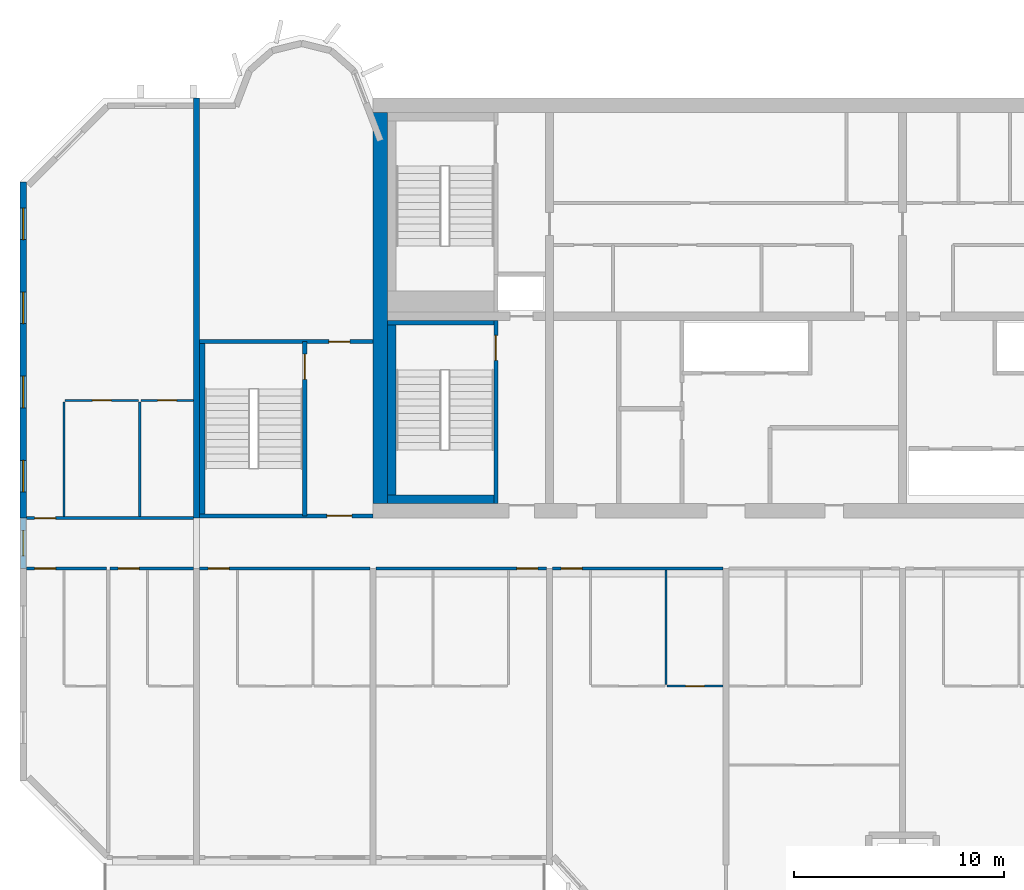
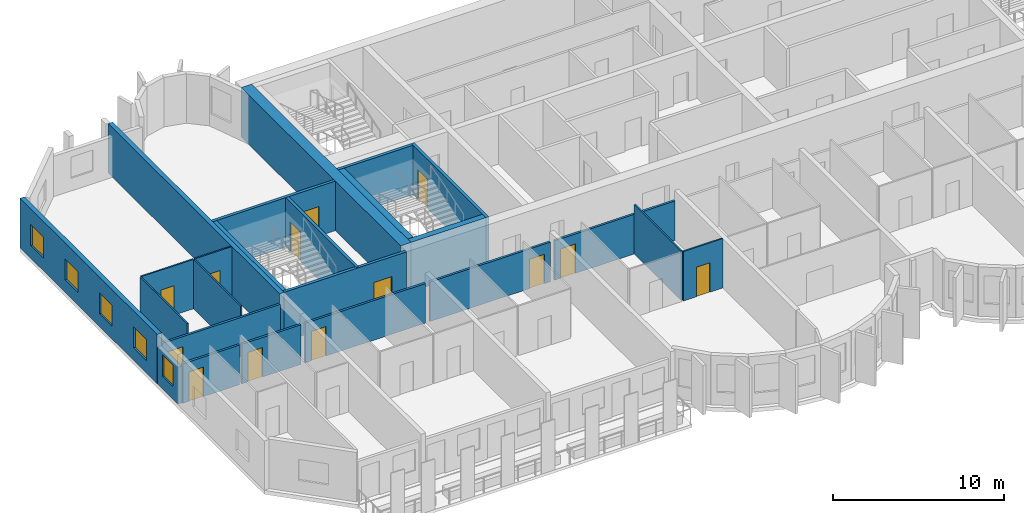
# One storey, part 3 of 13: 24 walls, 13 doors, 5 windows, 18 openings.
"""IFC4 building model written with IfcOpenShell, lengths in metres."""

from ifc_helpers import new_model, si_unit, direction, frame, frame_2d, origin, place, context, subcontext, project, spatial, rectangle, extrude, source, transform, mapped, material, layer, layer_set, type_object, element, fill, save


model = new_model("IFC4")

# Units and contexts
model_context = context("Model", 3, precision=1e-05, world=origin(), true_north=direction((0.0, 1.0)))
body_context = subcontext(model_context, "Body", "Model", "MODEL_VIEW")
ifc_project = project(units=[si_unit("LENGTHUNIT", "METRE"), si_unit("AREAUNIT", "SQUARE_METRE"), si_unit("VOLUMEUNIT", "CUBIC_METRE"), si_unit("PLANEANGLEUNIT", "RADIAN"), si_unit("MASSUNIT", "GRAM", prefix="KILO")], contexts=[model_context])

# Site, building, storey
site_placement = place(None, origin())
site = spatial("IfcSite", under=ifc_project, at=site_placement, CompositionType="ELEMENT")
building_placement = place(site_placement, origin())
building = spatial("IfcBuilding", under=site, at=building_placement, Name="Vanashikhar Sky Hotel", CompositionType="ELEMENT")
storey_placement = place(building_placement, frame((0.0, 0.0, 189.60009765625)))
storey = spatial("IfcBuildingStorey", under=building, at=storey_placement, Name="L46", CompositionType="ELEMENT", Elevation=189.60009765625)

# Wall
ifc_material_1 = material(Name="Concrete M60", Category="concrete")
ifc_layer_1 = layer(ifc_material_1, 0.699951171875)
ifc_layer_set_1 = layer_set([ifc_layer_1], Name="RC core shell wall 700 Concrete M60")
wall_type_1 = type_object("IfcWallType", Name="RC core shell wall 700 Concrete M60", PredefinedType="SHEAR", material=ifc_layer_set_1)
shared_shape_1 = source(origin(), body_context, "Body", "SweptSolid", [
    extrude(rectangle(XDim=18.60009765625, YDim=0.699951171875, at=frame_2d((9.300048828125, 0.0))), origin(), (0.0, 0.0, 1.0), 3.52001953125),
])
wall_1_placement = place(storey_placement, frame((25.550048828125, 22.699951171875, 0.0), z_axis=(0.0, 0.0, 1.0), x_axis=(0.0, 1.0, 0.0)))
element("IfcWall", 1, at=wall_1_placement, inside=storey, type_object=wall_type_1, Name="KW-L46-KW", PredefinedType="SHEAR", context=body_context, shape_type="MappedRepresentation", body=[
    mapped(shared_shape_1, transform((0.0, 0.0, 0.0), scale=1.0)),
])

# Wall, openings, windows
ifc_layer_2 = layer(ifc_material_1, 0.300048828125)
ifc_layer_set_2 = layer_set([ifc_layer_2], Name="RC shear wall 300 Concrete M60")
wall_type_2 = type_object("IfcWallType", Name="RC shear wall 300 Concrete M60", PredefinedType="SHEAR", material=ifc_layer_set_2)
shared_shape_2 = source(origin(), body_context, "Body", "SweptSolid", [
    extrude(rectangle(XDim=16.0, YDim=0.300048828125, at=frame_2d((8.0, 0.0))), origin(), (0.0, 0.0, 1.0), 3.52001953125),
])
wall_2_placement = place(storey_placement, frame((8.550048828125, 22.0, 0.0), z_axis=(0.0, 0.0, 1.0), x_axis=(0.0, 1.0, 0.0)))
wall_2 = element("IfcWall", 2, at=wall_2_placement, inside=storey, type_object=wall_type_2, Name="CW-L46-XW02-2", PredefinedType="SHEAR", context=body_context, shape_type="MappedRepresentation", body=[
    mapped(shared_shape_2, transform((0.0, 0.0, 0.0), scale=1.0)),
])
shared_shape_3 = source(origin(), body_context, "Body", "SweptSolid", [
    extrude(rectangle(XDim=1.5, YDim=1.5, at=frame_2d((0.75, 0.75))), frame((0.0, 0.16015625, 0.0), z_axis=(0.0, -1.0, 0.0), x_axis=(1.0, 0.0, 0.0)), (0.0, 0.0, 1.0), 0.320068359375),
])
opening_1_placement = place(wall_2_placement, frame((1.25, 0.0, 0.89990234375)))
opening_1 = element("IfcOpeningElement", 3, at=opening_1_placement, cuts=wall_2, Name="Opening WN-1", PredefinedType="OPENING", context=body_context, shape_type="MappedRepresentation", body=[
    mapped(shared_shape_3, transform((0.0, 0.0, 0.0), scale=1.0)),
])
opening_2_placement = place(wall_2_placement, frame((5.25, 0.0, 0.89990234375)))
opening_2 = element("IfcOpeningElement", 4, at=opening_2_placement, cuts=wall_2, Name="Opening WN-1", PredefinedType="OPENING", context=body_context, shape_type="MappedRepresentation", body=[
    mapped(shared_shape_3, transform((0.0, 0.0, 0.0), scale=1.0)),
])
opening_3_placement = place(wall_2_placement, frame((9.25, 0.0, 0.89990234375)))
opening_3 = element("IfcOpeningElement", 5, at=opening_3_placement, cuts=wall_2, Name="Opening WN-1", PredefinedType="OPENING", context=body_context, shape_type="MappedRepresentation", body=[
    mapped(shared_shape_3, transform((0.0, 0.0, 0.0), scale=1.0)),
])
opening_4_placement = place(wall_2_placement, frame((13.25, 0.0, 0.89990234375)))
opening_4 = element("IfcOpeningElement", 6, at=opening_4_placement, cuts=wall_2, Name="Opening WN-1", PredefinedType="OPENING", context=body_context, shape_type="MappedRepresentation", body=[
    mapped(shared_shape_3, transform((0.0, 0.0, 0.0), scale=1.0)),
])
ifc_material_2 = material(Name="Glass", Category="glass")
window_type_1 = type_object("IfcWindowType", Name="Window 1500 x 1500", PartitioningType="SINGLE_PANEL", PredefinedType="WINDOW", material=ifc_material_2)
shared_shape_4 = source(origin(), body_context, "Body", "SweptSolid", [
    extrude(rectangle(XDim=1.5, YDim=1.5, at=frame_2d((0.75, 0.75))), frame((0.0, 0.030029296875, 0.0), z_axis=(0.0, -1.0, 0.0), x_axis=(1.0, 0.0, 0.0)), (0.0, 0.0, 1.0), 0.06005859375),
])
window_1_placement = place(opening_1_placement, origin())
window_1 = element("IfcWindow", 7, at=window_1_placement, inside=storey, type_object=window_type_1, Name="Window WN-1", OverallHeight=1.5, OverallWidth=1.5, PartitioningType="SINGLE_PANEL", PredefinedType="WINDOW", context=body_context, shape_type="MappedRepresentation", body=[
    mapped(shared_shape_4, transform((0.0, 0.0, 0.0), scale=1.0)),
])
fill(opening_1, window_1)
window_2_placement = place(opening_2_placement, origin())
window_2 = element("IfcWindow", 8, at=window_2_placement, inside=storey, type_object=window_type_1, Name="Window WN-1", OverallHeight=1.5, OverallWidth=1.5, PartitioningType="SINGLE_PANEL", PredefinedType="WINDOW", context=body_context, shape_type="MappedRepresentation", body=[
    mapped(shared_shape_4, transform((0.0, 0.0, 0.0), scale=1.0)),
])
fill(opening_2, window_2)
window_3_placement = place(opening_3_placement, origin())
window_3 = element("IfcWindow", 9, at=window_3_placement, inside=storey, type_object=window_type_1, Name="Window WN-1", OverallHeight=1.5, OverallWidth=1.5, PartitioningType="SINGLE_PANEL", PredefinedType="WINDOW", context=body_context, shape_type="MappedRepresentation", body=[
    mapped(shared_shape_4, transform((0.0, 0.0, 0.0), scale=1.0)),
])
fill(opening_3, window_3)
window_4_placement = place(opening_4_placement, origin())
window_4 = element("IfcWindow", 10, at=window_4_placement, inside=storey, type_object=window_type_1, Name="Window WN-1", OverallHeight=1.5, OverallWidth=1.5, PartitioningType="SINGLE_PANEL", PredefinedType="WINDOW", context=body_context, shape_type="MappedRepresentation", body=[
    mapped(shared_shape_4, transform((0.0, 0.0, 0.0), scale=1.0)),
])
fill(opening_4, window_4)

# Wall
shared_shape_5 = source(origin(), body_context, "Body", "SweptSolid", [
    extrude(rectangle(XDim=20.0, YDim=0.300048828125, at=frame_2d((10.0, 0.0))), origin(), (0.0, 0.0, 1.0), 3.52001953125),
])
wall_3_placement = place(storey_placement, frame((16.800048828125, 22.0, 0.0), z_axis=(0.0, 0.0, 1.0), x_axis=(0.0, 1.0, 0.0)))
element("IfcWall", 11, at=wall_3_placement, inside=storey, type_object=wall_type_2, Name="CW-L46-XW03-2", PredefinedType="SHEAR", context=body_context, shape_type="MappedRepresentation", body=[
    mapped(shared_shape_5, transform((0.0, 0.0, 0.0), scale=1.0)),
])

# Wall, opening, window
ifc_material_3 = material(Name="Concrete M50", Category="concrete")
ifc_layer_3 = layer(ifc_material_3, 0.25)
ifc_layer_set_3 = layer_set([ifc_layer_3], Name="Rear and end board-marked wall 250")
wall_type_3 = type_object("IfcWallType", Name="Rear and end board-marked wall 250", PredefinedType="SOLIDWALL", material=ifc_layer_set_3)
shared_shape_6 = source(origin(), body_context, "Body", "SweptSolid", [
    extrude(rectangle(XDim=2.39990234375, YDim=0.25, at=frame_2d((1.199951171875, 0.0))), origin(), (0.0, 0.0, 1.0), 2.619873046875),
])
wall_4_placement = place(storey_placement, frame((8.550048828125, 19.60009765625, 0.0), z_axis=(0.0, 0.0, 1.0), x_axis=(0.0, 1.0, 0.0)))
wall_4 = element("IfcWall", 12, at=wall_4_placement, inside=storey, type_object=wall_type_3, Name="End corridor infill wall", PredefinedType="SOLIDWALL", context=body_context, shape_type="MappedRepresentation", body=[
    mapped(shared_shape_6, transform((0.0, 0.0, 0.0), scale=1.0)),
])
shared_shape_7 = source(origin(), body_context, "Body", "SweptSolid", [
    extrude(rectangle(XDim=1.199951171875, YDim=1.5, at=frame_2d((0.60009765625, 0.75))), frame((0.0, 0.135009765625, 0.0), z_axis=(0.0, -1.0, 0.0), x_axis=(1.0, 0.0, 0.0)), (0.0, 0.0, 1.0), 0.27001953125),
])
opening_5_placement = place(wall_4_placement, frame((0.60009765625, 0.0, 0.89990234375)))
opening_5 = element("IfcOpeningElement", 13, at=opening_5_placement, cuts=wall_4, Name="Opening WN-3", PredefinedType="OPENING", context=body_context, shape_type="MappedRepresentation", body=[
    mapped(shared_shape_7, transform((0.0, 0.0, 0.0), scale=1.0)),
])
window_type_2 = type_object("IfcWindowType", Name="Corridor end window 1200 x 1500", PartitioningType="SINGLE_PANEL", PredefinedType="WINDOW", material=ifc_material_2)
shared_shape_8 = source(origin(), body_context, "Body", "SweptSolid", [
    extrude(rectangle(XDim=1.199951171875, YDim=1.5, at=frame_2d((0.60009765625, 0.75))), frame((0.0, 0.030029296875, 0.0), z_axis=(0.0, -1.0, 0.0), x_axis=(1.0, 0.0, 0.0)), (0.0, 0.0, 1.0), 0.06005859375),
])
window_5_placement = place(opening_5_placement, origin())
window_5 = element("IfcWindow", 14, at=window_5_placement, inside=storey, type_object=window_type_2, Name="Window WN-3", OverallHeight=1.5, OverallWidth=1.199951171875, PartitioningType="SINGLE_PANEL", PredefinedType="WINDOW", context=body_context, shape_type="MappedRepresentation", body=[
    mapped(shared_shape_8, transform((0.0, 0.0, 0.0), scale=1.0)),
])
fill(opening_5, window_5)

# Wall, opening, door
ifc_layer_4 = layer(ifc_material_3, 0.199951171875)
ifc_layer_set_4 = layer_set([ifc_layer_4], Name="Stair wall 200")
wall_type_4 = type_object("IfcWallType", Name="Stair wall 200", PredefinedType="SOLIDWALL", material=ifc_layer_set_4)
shared_shape_9 = source(origin(), body_context, "Body", "SweptSolid", [
    extrude(rectangle(XDim=8.2998046875, YDim=0.199951171875, at=frame_2d((4.14990234375, 0.0))), origin(), (0.0, 0.0, 1.0), 3.52001953125),
])
wall_5_placement = place(storey_placement, frame((21.949951171875, 22.10009765625, 0.0), z_axis=(0.0, 0.0, 1.0), x_axis=(0.0, 1.0, 0.0)))
wall_5 = element("IfcWall", 15, at=wall_5_placement, inside=storey, type_object=wall_type_4, Name="Stair wall 200", PredefinedType="SOLIDWALL", context=body_context, shape_type="MappedRepresentation", body=[
    mapped(shared_shape_9, transform((0.0, 0.0, 0.0), scale=1.0)),
])
shared_shape_10 = source(origin(), body_context, "Body", "SweptSolid", [
    extrude(rectangle(XDim=1.199951171875, YDim=2.10009765625, at=frame_2d((0.60009765625, 1.050048828125))), frame((0.0, 0.10986328125, 0.0), z_axis=(0.0, -1.0, 0.0), x_axis=(1.0, 0.0, 0.0)), (0.0, 0.0, 1.0), 0.219970703125),
])
opening_6_placement = place(wall_5_placement, frame((6.5, 0.0, 0.0)))
opening_6 = element("IfcOpeningElement", 16, at=opening_6_placement, cuts=wall_5, Name="Opening DC-1", PredefinedType="OPENING", context=body_context, shape_type="MappedRepresentation", body=[
    mapped(shared_shape_10, transform((0.0, 0.0, 0.0), scale=1.0)),
])
ifc_material_4 = material(Name="Steel", Category="steel")
door_type_1 = type_object("IfcDoorType", Name="Stair door 1200 FD120", OperationType="NOTDEFINED", PredefinedType="DOOR", material=ifc_material_4)
shared_shape_11 = source(origin(), body_context, "Body", "SweptSolid", [
    extrude(rectangle(XDim=1.199951171875, YDim=2.10009765625, at=frame_2d((0.60009765625, 1.050048828125))), frame((0.0, 0.02490234375, 0.0), z_axis=(0.0, -1.0, 0.0), x_axis=(1.0, 0.0, 0.0)), (0.0, 0.0, 1.0), 0.050048828125),
])
door_1_placement = place(opening_6_placement, origin())
door_1 = element("IfcDoor", 17, at=door_1_placement, inside=storey, type_object=door_type_1, Name="Stair door 1200 FD120", OperationType="SINGLE_SWING_LEFT", OverallHeight=2.10009765625, OverallWidth=1.199951171875, PredefinedType="DOOR", context=body_context, shape_type="MappedRepresentation", body=[
    mapped(shared_shape_11, transform((0.0, 0.0, 0.0), scale=1.0)),
])
fill(opening_6, door_1)

shared_shape_12 = source(origin(), body_context, "Body", "SweptSolid", [
    extrude(rectangle(XDim=8.699951171875, YDim=0.199951171875, at=frame_2d((4.35009765625, 0.0))), origin(), (0.0, 0.0, 1.0), 3.52001953125),
])
wall_6_placement = place(storey_placement, frame((31.050048828125, 22.699951171875, 0.0), z_axis=(0.0, 0.0, 1.0), x_axis=(0.0, 1.0, 0.0)))
wall_6 = element("IfcWall", 18, at=wall_6_placement, inside=storey, type_object=wall_type_4, Name="Stair wall 200", PredefinedType="SOLIDWALL", context=body_context, shape_type="MappedRepresentation", body=[
    mapped(shared_shape_12, transform((0.0, 0.0, 0.0), scale=1.0)),
])
opening_7_placement = place(wall_6_placement, frame((6.800048828125, 0.0, 0.0)))
opening_7 = element("IfcOpeningElement", 19, at=opening_7_placement, cuts=wall_6, Name="Opening DC-1", PredefinedType="OPENING", context=body_context, shape_type="MappedRepresentation", body=[
    mapped(shared_shape_10, transform((0.0, 0.0, 0.0), scale=1.0)),
])
door_2_placement = place(opening_7_placement, origin())
door_2 = element("IfcDoor", 20, at=door_2_placement, inside=storey, type_object=door_type_1, Name="Stair door 1200 FD120", OperationType="SINGLE_SWING_LEFT", OverallHeight=2.10009765625, OverallWidth=1.199951171875, PredefinedType="DOOR", context=body_context, shape_type="MappedRepresentation", body=[
    mapped(shared_shape_11, transform((0.0, 0.0, 0.0), scale=1.0)),
])
fill(opening_7, door_2)

shared_shape_13 = source(origin(), body_context, "Body", "SweptSolid", [
    extrude(rectangle(XDim=8.25, YDim=0.199951171875, at=frame_2d((4.125, 0.0))), origin(), (0.0, 0.0, 1.0), 3.52001953125),
])
wall_7_placement = place(storey_placement, frame((16.949951171875, 22.10009765625, 0.0), z_axis=(0.0, 0.0, 1.0), x_axis=(1.0, 0.0, 0.0)))
wall_7 = element("IfcWall", 21, at=wall_7_placement, inside=storey, type_object=wall_type_4, Name="Stair wall 200", PredefinedType="SOLIDWALL", context=body_context, shape_type="MappedRepresentation", body=[
    mapped(shared_shape_13, transform((0.0, 0.0, 0.0), scale=1.0)),
])
opening_8_placement = place(wall_7_placement, frame((6.050048828125, 0.0, 0.0)))
opening_8 = element("IfcOpeningElement", 22, at=opening_8_placement, cuts=wall_7, Name="Opening DC-2", PredefinedType="OPENING", context=body_context, shape_type="MappedRepresentation", body=[
    mapped(shared_shape_10, transform((0.0, 0.0, 0.0), scale=1.0)),
])
door_type_2 = type_object("IfcDoorType", Name="Firefighting lobby door 1200 FD120", OperationType="NOTDEFINED", PredefinedType="DOOR", material=ifc_material_4)
door_3_placement = place(opening_8_placement, origin())
door_3 = element("IfcDoor", 23, at=door_3_placement, inside=storey, type_object=door_type_2, Name="Firefighting lobby door 1200 FD120", OperationType="SINGLE_SWING_LEFT", OverallHeight=2.10009765625, OverallWidth=1.199951171875, PredefinedType="DOOR", context=body_context, shape_type="MappedRepresentation", body=[
    mapped(shared_shape_11, transform((0.0, 0.0, 0.0), scale=1.0)),
])
fill(opening_8, door_3)

wall_8_placement = place(storey_placement, frame((16.949951171875, 30.39990234375, 0.0), z_axis=(0.0, 0.0, 1.0), x_axis=(1.0, 0.0, 0.0)))
wall_8 = element("IfcWall", 24, at=wall_8_placement, inside=storey, type_object=wall_type_4, Name="Stair wall 200", PredefinedType="SOLIDWALL", context=body_context, shape_type="MappedRepresentation", body=[
    mapped(shared_shape_13, transform((0.0, 0.0, 0.0), scale=1.0)),
])
shared_shape_14 = source(origin(), body_context, "Body", "SweptSolid", [
    extrude(rectangle(XDim=1.0, YDim=2.10009765625, at=frame_2d((0.5, 1.050048828125))), frame((0.0, 0.10986328125, 0.0), z_axis=(0.0, -1.0, 0.0), x_axis=(1.0, 0.0, 0.0)), (0.0, 0.0, 1.0), 0.219970703125),
])
opening_9_placement = place(wall_8_placement, frame((6.14990234375, 0.0, 0.0)))
opening_9 = element("IfcOpeningElement", 25, at=opening_9_placement, cuts=wall_8, Name="Opening DC-6", PredefinedType="OPENING", context=body_context, shape_type="MappedRepresentation", body=[
    mapped(shared_shape_14, transform((0.0, 0.0, 0.0), scale=1.0)),
])
door_type_3 = type_object("IfcDoorType", Name="Pocket door 1000 FD60", OperationType="NOTDEFINED", PredefinedType="DOOR", material=ifc_material_4)
shared_shape_15 = source(origin(), body_context, "Body", "SweptSolid", [
    extrude(rectangle(XDim=1.0, YDim=2.10009765625, at=frame_2d((0.5, 1.050048828125))), frame((0.0, 0.02490234375, 0.0), z_axis=(0.0, -1.0, 0.0), x_axis=(1.0, 0.0, 0.0)), (0.0, 0.0, 1.0), 0.050048828125),
])
door_4_placement = place(opening_9_placement, origin())
door_4 = element("IfcDoor", 26, at=door_4_placement, inside=storey, type_object=door_type_3, Name="Pocket door 1000 FD60", OperationType="SINGLE_SWING_LEFT", OverallHeight=2.10009765625, OverallWidth=1.0, PredefinedType="DOOR", context=body_context, shape_type="MappedRepresentation", body=[
    mapped(shared_shape_15, transform((0.0, 0.0, 0.0), scale=1.0)),
])
fill(opening_9, door_4)

# Walls
ifc_layer_5 = layer(ifc_material_3, 0.39990234375)
ifc_layer_set_5 = layer_set([ifc_layer_5], Name="Stair infill wall 400")
wall_type_5 = type_object("IfcWallType", Name="Stair infill wall 400", PredefinedType="SOLIDWALL", material=ifc_layer_set_5)
shared_shape_16 = source(origin(), body_context, "Body", "SweptSolid", [
    extrude(rectangle(XDim=5.050048828125, YDim=0.39990234375, at=frame_2d((2.52490234375, 0.0))), origin(), (0.0, 0.0, 1.0), 3.52001953125),
])
wall_9_placement = place(storey_placement, frame((25.89990234375, 22.89990234375, 0.0), z_axis=(0.0, 0.0, 1.0), x_axis=(1.0, 0.0, 0.0)))
element("IfcWall", 27, at=wall_9_placement, inside=storey, type_object=wall_type_5, Name="Stair infill wall 400", PredefinedType="SOLIDWALL", context=body_context, shape_type="MappedRepresentation", body=[
    mapped(shared_shape_16, transform((0.0, 0.0, 0.0), scale=1.0)),
])
ifc_layer_6 = layer(ifc_material_3, 0.199951171875)
ifc_layer_set_6 = layer_set([ifc_layer_6], Name="Stair infill wall 200")
wall_type_6 = type_object("IfcWallType", Name="Stair infill wall 200", PredefinedType="SOLIDWALL", material=ifc_layer_set_6)
shared_shape_17 = source(origin(), body_context, "Body", "SweptSolid", [
    extrude(rectangle(XDim=5.050048828125, YDim=0.199951171875, at=frame_2d((2.52490234375, 0.0))), origin(), (0.0, 0.0, 1.0), 3.52001953125),
])
wall_10_placement = place(storey_placement, frame((25.89990234375, 31.300048828125, 0.0), z_axis=(0.0, 0.0, 1.0), x_axis=(1.0, 0.0, 0.0)))
element("IfcWall", 28, at=wall_10_placement, inside=storey, type_object=wall_type_6, Name="Stair infill wall 200", PredefinedType="SOLIDWALL", context=body_context, shape_type="MappedRepresentation", body=[
    mapped(shared_shape_17, transform((0.0, 0.0, 0.0), scale=1.0)),
])
shared_shape_18 = source(origin(), body_context, "Body", "SweptSolid", [
    extrude(rectangle(XDim=8.099853515625, YDim=0.39990234375, at=frame_2d((4.0498046875, 0.0))), origin(), (0.0, 0.0, 1.0), 3.52001953125),
])
wall_11_placement = place(storey_placement, frame((26.10009765625, 23.10009765625, 0.0), z_axis=(0.0, 0.0, 1.0), x_axis=(0.0, 1.0, 0.0)))
element("IfcWall", 29, at=wall_11_placement, inside=storey, type_object=wall_type_5, Name="Stair infill wall 400", PredefinedType="SOLIDWALL", context=body_context, shape_type="MappedRepresentation", body=[
    mapped(shared_shape_18, transform((0.0, 0.0, 0.0), scale=1.0)),
])
ifc_layer_7 = layer(ifc_material_3, 0.25)
ifc_layer_set_7 = layer_set([ifc_layer_7], Name="Stair infill wall 250")
wall_type_7 = type_object("IfcWallType", Name="Stair infill wall 250", PredefinedType="SOLIDWALL", material=ifc_layer_set_7)
shared_shape_19 = source(origin(), body_context, "Body", "SweptSolid", [
    extrude(rectangle(XDim=8.10009765625, YDim=0.25, at=frame_2d((4.050048828125, 0.0))), origin(), (0.0, 0.0, 1.0), 3.52001953125),
])
wall_12_placement = place(storey_placement, frame((17.074951171875, 22.199951171875, 0.0), z_axis=(0.0, 0.0, 1.0), x_axis=(0.0, 1.0, 0.0)))
element("IfcWall", 30, at=wall_12_placement, inside=storey, type_object=wall_type_7, Name="Stair infill wall 250", PredefinedType="SOLIDWALL", context=body_context, shape_type="MappedRepresentation", body=[
    mapped(shared_shape_19, transform((0.0, 0.0, 0.0), scale=1.0)),
])

# Wall, opening, door
ifc_material_5 = material(Name="Gypsum plasterboard partition")
ifc_layer_8 = layer(ifc_material_5, 0.10009765625)
ifc_layer_set_8 = layer_set([ifc_layer_8], Name="Wet room partition 100")
wall_type_8 = type_object("IfcWallType", Name="Wet room partition 100", PredefinedType="PARTITIONING", material=ifc_layer_set_8)
shared_shape_20 = source(origin(), body_context, "Body", "SweptSolid", [
    extrude(rectangle(XDim=3.5, YDim=0.10009765625, at=frame_2d((1.75, 0.0))), origin(), (0.0, 0.0, 1.0), 3.52001953125),
])
wall_13_placement = place(storey_placement, frame((10.550048828125, 27.60009765625, 0.0), z_axis=(0.0, 0.0, 1.0), x_axis=(1.0, 0.0, 0.0)))
wall_13 = element("IfcWall", 31, at=wall_13_placement, inside=storey, type_object=wall_type_8, Name="W-L46-PW062", PredefinedType="PARTITIONING", context=body_context, shape_type="MappedRepresentation", body=[
    mapped(shared_shape_20, transform((0.0, 0.0, 0.0), scale=1.0)),
])
shared_shape_21 = source(origin(), body_context, "Body", "SweptSolid", [
    extrude(rectangle(XDim=0.89990234375, YDim=2.10009765625, at=frame_2d((0.449951171875, 1.050048828125))), frame((0.0, 0.06005859375, 0.0), z_axis=(0.0, -1.0, 0.0), x_axis=(1.0, 0.0, 0.0)), (0.0, 0.0, 1.0), 0.1201171875),
])
opening_10_placement = place(wall_13_placement, frame((1.300048828125, 0.0, 0.0)))
opening_10 = element("IfcOpeningElement", 32, at=opening_10_placement, cuts=wall_13, Name="Opening D-02", PredefinedType="OPENING", context=body_context, shape_type="MappedRepresentation", body=[
    mapped(shared_shape_21, transform((0.0, 0.0, 0.0), scale=1.0)),
])
ifc_material_6 = material(Name="Timber door", Category="wood")
door_type_4 = type_object("IfcDoorType", Name="Internal door 900", OperationType="NOTDEFINED", PredefinedType="DOOR", material=ifc_material_6)
shared_shape_22 = source(origin(), body_context, "Body", "SweptSolid", [
    extrude(rectangle(XDim=0.89990234375, YDim=2.10009765625, at=frame_2d((0.449951171875, 1.050048828125))), frame((0.0, 0.02490234375, 0.0), z_axis=(0.0, -1.0, 0.0), x_axis=(1.0, 0.0, 0.0)), (0.0, 0.0, 1.0), 0.050048828125),
])
door_5_placement = place(opening_10_placement, origin())
door_5 = element("IfcDoor", 33, at=door_5_placement, inside=storey, type_object=door_type_4, Name="D-L46-035", OperationType="SINGLE_SWING_LEFT", OverallHeight=2.10009765625, OverallWidth=0.89990234375, PredefinedType="DOOR", context=body_context, shape_type="MappedRepresentation", body=[
    mapped(shared_shape_22, transform((0.0, 0.0, 0.0), scale=1.0)),
])
fill(opening_10, door_5)

shared_shape_23 = source(origin(), body_context, "Body", "SweptSolid", [
    extrude(rectangle(XDim=2.5, YDim=0.10009765625, at=frame_2d((1.25, 0.0))), origin(), (0.0, 0.0, 1.0), 3.52001953125),
])
wall_14_placement = place(storey_placement, frame((14.14990234375, 27.60009765625, 0.0), z_axis=(0.0, 0.0, 1.0), x_axis=(1.0, 0.0, 0.0)))
wall_14 = element("IfcWall", 34, at=wall_14_placement, inside=storey, type_object=wall_type_8, Name="W-L46-PW063", PredefinedType="PARTITIONING", context=body_context, shape_type="MappedRepresentation", body=[
    mapped(shared_shape_23, transform((0.0, 0.0, 0.0), scale=1.0)),
])
opening_11_placement = place(wall_14_placement, frame((0.800048828125, 0.0, 0.0)))
opening_11 = element("IfcOpeningElement", 35, at=opening_11_placement, cuts=wall_14, Name="Opening D-02", PredefinedType="OPENING", context=body_context, shape_type="MappedRepresentation", body=[
    mapped(shared_shape_21, transform((0.0, 0.0, 0.0), scale=1.0)),
])
door_6_placement = place(opening_11_placement, origin())
door_6 = element("IfcDoor", 36, at=door_6_placement, inside=storey, type_object=door_type_4, Name="D-L46-036", OperationType="SINGLE_SWING_LEFT", OverallHeight=2.10009765625, OverallWidth=0.89990234375, PredefinedType="DOOR", context=body_context, shape_type="MappedRepresentation", body=[
    mapped(shared_shape_22, transform((0.0, 0.0, 0.0), scale=1.0)),
])
fill(opening_11, door_6)

# Walls
shared_shape_24 = source(origin(), body_context, "Body", "SweptSolid", [
    extrude(rectangle(XDim=5.449951171875, YDim=0.10009765625, at=frame_2d((2.72509765625, 0.0))), origin(), (0.0, 0.0, 1.0), 3.52001953125),
])
for number, where, z_axis, x_axis, name in (
    (37, (39.14990234375, 14.074951171875, 0.0), (0.0, 0.0, 1.0), (0.0, 1.0, 0.0), "W-L46-PW019"),
    (38, (10.5, 22.074951171875, 0.0), (0.0, 0.0, 1.0), (0.0, 1.0, 0.0), "W-L46-PW060"),
    (39, (14.10009765625, 22.074951171875, 0.0), (0.0, 0.0, 1.0), (0.0, 1.0, 0.0), "W-L46-PW061"),
):
    element("IfcWall", number, at=place(storey_placement, frame(where, z_axis=z_axis, x_axis=x_axis)), inside=storey, type_object=wall_type_8, Name=name, PredefinedType="PARTITIONING", context=body_context, shape_type="MappedRepresentation", body=[
        mapped(shared_shape_24, transform((0.0, 0.0, 0.0), scale=1.0)),
    ])

# Wall, opening, door
ifc_layer_9 = layer(ifc_material_5, 0.14990234375)
ifc_layer_set_9 = layer_set([ifc_layer_9], Name="Corridor and demising partition 150")
wall_type_9 = type_object("IfcWallType", Name="Corridor and demising partition 150", PredefinedType="PARTITIONING", material=ifc_layer_set_9)
shared_shape_25 = source(origin(), body_context, "Body", "SweptSolid", [
    extrude(rectangle(XDim=7.949951171875, YDim=0.14990234375, at=frame_2d((3.97509765625, 0.0))), origin(), (0.0, 0.0, 1.0), 2.81982421875),
])
wall_15_placement = place(storey_placement, frame((8.699951171875, 22.0, 0.0), z_axis=(0.0, 0.0, 1.0), x_axis=(1.0, 0.0, 0.0)))
wall_15 = element("IfcWall", 40, at=wall_15_placement, inside=storey, type_object=wall_type_9, Name="W-L46-PW064", PredefinedType="PARTITIONING", context=body_context, shape_type="MappedRepresentation", body=[
    mapped(shared_shape_25, transform((0.0, 0.0, 0.0), scale=1.0)),
])
shared_shape_26 = source(origin(), body_context, "Body", "SweptSolid", [
    extrude(rectangle(XDim=1.0, YDim=2.10009765625, at=frame_2d((0.5, 1.050048828125))), frame((0.0, 0.0849609375, 0.0), z_axis=(0.0, -1.0, 0.0), x_axis=(1.0, 0.0, 0.0)), (0.0, 0.0, 1.0), 0.169921875),
])
opening_12_placement = place(wall_15_placement, frame((0.39990234375, 0.0, 0.0)))
opening_12 = element("IfcOpeningElement", 41, at=opening_12_placement, cuts=wall_15, Name="Opening D-01", PredefinedType="OPENING", context=body_context, shape_type="MappedRepresentation", body=[
    mapped(shared_shape_26, transform((0.0, 0.0, 0.0), scale=1.0)),
])
ifc_material_7 = material(Name="Timber fire door", Category="wood")
door_type_5 = type_object("IfcDoorType", Name="Guest entry door 1000 FD30S", OperationType="NOTDEFINED", PredefinedType="DOOR", material=ifc_material_7)
door_7_placement = place(opening_12_placement, origin())
door_7 = element("IfcDoor", 42, at=door_7_placement, inside=storey, type_object=door_type_5, Name="D-L46-037", OperationType="SINGLE_SWING_LEFT", OverallHeight=2.10009765625, OverallWidth=1.0, PredefinedType="DOOR", context=body_context, shape_type="MappedRepresentation", body=[
    mapped(shared_shape_15, transform((0.0, 0.0, 0.0), scale=1.0)),
])
fill(opening_12, door_7)

shared_shape_27 = source(origin(), body_context, "Body", "SweptSolid", [
    extrude(rectangle(XDim=8.10009765625, YDim=0.14990234375, at=frame_2d((4.050048828125, 0.0))), origin(), (0.0, 0.0, 1.0), 2.81982421875),
])
wall_16_placement = place(storey_placement, frame((16.949951171875, 19.60009765625, 0.0), z_axis=(0.0, 0.0, 1.0), x_axis=(1.0, 0.0, 0.0)))
wall_16 = element("IfcWall", 43, at=wall_16_placement, inside=storey, type_object=wall_type_9, Name="W-L46-PW012", PredefinedType="PARTITIONING", context=body_context, shape_type="MappedRepresentation", body=[
    mapped(shared_shape_27, transform((0.0, 0.0, 0.0), scale=1.0)),
])
opening_13_placement = place(wall_16_placement, frame((0.39990234375, 0.0, 0.0)))
opening_13 = element("IfcOpeningElement", 44, at=opening_13_placement, cuts=wall_16, Name="Opening D-01", PredefinedType="OPENING", context=body_context, shape_type="MappedRepresentation", body=[
    mapped(shared_shape_26, transform((0.0, 0.0, 0.0), scale=1.0)),
])
door_8_placement = place(opening_13_placement, origin())
door_8 = element("IfcDoor", 45, at=door_8_placement, inside=storey, type_object=door_type_5, Name="D-L46-007", OperationType="SINGLE_SWING_LEFT", OverallHeight=2.10009765625, OverallWidth=1.0, PredefinedType="DOOR", context=body_context, shape_type="MappedRepresentation", body=[
    mapped(shared_shape_15, transform((0.0, 0.0, 0.0), scale=1.0)),
])
fill(opening_13, door_8)

wall_17_placement = place(storey_placement, frame((33.75, 19.60009765625, 0.0), z_axis=(0.0, 0.0, 1.0), x_axis=(1.0, 0.0, 0.0)))
wall_17 = element("IfcWall", 46, at=wall_17_placement, inside=storey, type_object=wall_type_9, Name="W-L46-PW022", PredefinedType="PARTITIONING", context=body_context, shape_type="MappedRepresentation", body=[
    mapped(shared_shape_27, transform((0.0, 0.0, 0.0), scale=1.0)),
])
opening_14_placement = place(wall_17_placement, frame((0.39990234375, 0.0, 0.0)))
opening_14 = element("IfcOpeningElement", 47, at=opening_14_placement, cuts=wall_17, Name="Opening D-01", PredefinedType="OPENING", context=body_context, shape_type="MappedRepresentation", body=[
    mapped(shared_shape_26, transform((0.0, 0.0, 0.0), scale=1.0)),
])
door_9_placement = place(opening_14_placement, origin())
door_9 = element("IfcDoor", 48, at=door_9_placement, inside=storey, type_object=door_type_5, Name="D-L46-013", OperationType="SINGLE_SWING_LEFT", OverallHeight=2.10009765625, OverallWidth=1.0, PredefinedType="DOOR", context=body_context, shape_type="MappedRepresentation", body=[
    mapped(shared_shape_15, transform((0.0, 0.0, 0.0), scale=1.0)),
])
fill(opening_14, door_9)

shared_shape_28 = source(origin(), body_context, "Body", "SweptSolid", [
    extrude(rectangle(XDim=3.974853515625, YDim=0.14990234375, at=frame_2d((1.9873046875, 0.0))), origin(), (0.0, 0.0, 1.0), 2.81982421875),
])
wall_18_placement = place(storey_placement, frame((12.675048828125, 19.60009765625, 0.0), z_axis=(0.0, 0.0, 1.0), x_axis=(1.0, 0.0, 0.0)))
wall_18 = element("IfcWall", 49, at=wall_18_placement, inside=storey, type_object=wall_type_9, Name="W-L46-PW006", PredefinedType="PARTITIONING", context=body_context, shape_type="MappedRepresentation", body=[
    mapped(shared_shape_28, transform((0.0, 0.0, 0.0), scale=1.0)),
])
opening_15_placement = place(wall_18_placement, frame((0.39990234375, 0.0, 0.0)))
opening_15 = element("IfcOpeningElement", 50, at=opening_15_placement, cuts=wall_18, Name="Opening D-01", PredefinedType="OPENING", context=body_context, shape_type="MappedRepresentation", body=[
    mapped(shared_shape_26, transform((0.0, 0.0, 0.0), scale=1.0)),
])
door_10_placement = place(opening_15_placement, origin())
door_10 = element("IfcDoor", 51, at=door_10_placement, inside=storey, type_object=door_type_5, Name="D-L46-004", OperationType="SINGLE_SWING_LEFT", OverallHeight=2.10009765625, OverallWidth=1.0, PredefinedType="DOOR", context=body_context, shape_type="MappedRepresentation", body=[
    mapped(shared_shape_15, transform((0.0, 0.0, 0.0), scale=1.0)),
])
fill(opening_15, door_10)

shared_shape_29 = source(origin(), body_context, "Body", "SweptSolid", [
    extrude(rectangle(XDim=8.099853515625, YDim=0.14990234375, at=frame_2d((4.0498046875, 0.0))), origin(), (0.0, 0.0, 1.0), 2.81982421875),
])
wall_19_placement = place(storey_placement, frame((25.35009765625, 19.60009765625, 0.0), z_axis=(0.0, 0.0, 1.0), x_axis=(1.0, 0.0, 0.0)))
wall_19 = element("IfcWall", 52, at=wall_19_placement, inside=storey, type_object=wall_type_9, Name="W-L46-PW017", PredefinedType="PARTITIONING", context=body_context, shape_type="MappedRepresentation", body=[
    mapped(shared_shape_29, transform((0.0, 0.0, 0.0), scale=1.0)),
])
opening_16_placement = place(wall_19_placement, frame((6.699951171875, 0.0, 0.0)))
opening_16 = element("IfcOpeningElement", 53, at=opening_16_placement, cuts=wall_19, Name="Opening D-01", PredefinedType="OPENING", context=body_context, shape_type="MappedRepresentation", body=[
    mapped(shared_shape_26, transform((0.0, 0.0, 0.0), scale=1.0)),
])
door_11_placement = place(opening_16_placement, origin())
door_11 = element("IfcDoor", 54, at=door_11_placement, inside=storey, type_object=door_type_5, Name="D-L46-010", OperationType="SINGLE_SWING_RIGHT", OverallHeight=2.10009765625, OverallWidth=1.0, PredefinedType="DOOR", context=body_context, shape_type="MappedRepresentation", body=[
    mapped(shared_shape_15, transform((0.0, 0.0, 0.0), scale=1.0)),
])
fill(opening_16, door_11)

shared_shape_30 = source(origin(), body_context, "Body", "SweptSolid", [
    extrude(rectangle(XDim=2.650146484375, YDim=0.10009765625, at=frame_2d((1.3251953125, 0.0))), origin(), (0.0, 0.0, 1.0), 3.52001953125),
])
wall_20_placement = place(storey_placement, frame((39.199951171875, 14.0, 0.0), z_axis=(0.0, 0.0, 1.0), x_axis=(1.0, 0.0, 0.0)))
wall_20 = element("IfcWall", 55, at=wall_20_placement, inside=storey, type_object=wall_type_8, Name="W-L46-PW021", PredefinedType="PARTITIONING", context=body_context, shape_type="MappedRepresentation", body=[
    mapped(shared_shape_30, transform((0.0, 0.0, 0.0), scale=1.0)),
])
opening_17_placement = place(wall_20_placement, frame((0.875, 0.0, 0.0)))
opening_17 = element("IfcOpeningElement", 56, at=opening_17_placement, cuts=wall_20, Name="Opening D-02", PredefinedType="OPENING", context=body_context, shape_type="MappedRepresentation", body=[
    mapped(shared_shape_21, transform((0.0, 0.0, 0.0), scale=1.0)),
])
door_12_placement = place(opening_17_placement, origin())
door_12 = element("IfcDoor", 57, at=door_12_placement, inside=storey, type_object=door_type_4, Name="D-L46-012", OperationType="SINGLE_SWING_LEFT", OverallHeight=2.10009765625, OverallWidth=0.89990234375, PredefinedType="DOOR", context=body_context, shape_type="MappedRepresentation", body=[
    mapped(shared_shape_22, transform((0.0, 0.0, 0.0), scale=1.0)),
])
fill(opening_17, door_12)

shared_shape_31 = source(origin(), body_context, "Body", "SweptSolid", [
    extrude(rectangle(XDim=3.824951171875, YDim=0.14990234375, at=frame_2d((1.91259765625, 0.0))), origin(), (0.0, 0.0, 1.0), 2.81982421875),
])
wall_21_placement = place(storey_placement, frame((8.699951171875, 19.60009765625, 0.0), z_axis=(0.0, 0.0, 1.0), x_axis=(1.0, 0.0, 0.0)))
wall_21 = element("IfcWall", 58, at=wall_21_placement, inside=storey, type_object=wall_type_9, Name="W-L46-PW003", PredefinedType="PARTITIONING", context=body_context, shape_type="MappedRepresentation", body=[
    mapped(shared_shape_31, transform((0.0, 0.0, 0.0), scale=1.0)),
])
opening_18_placement = place(wall_21_placement, frame((0.39990234375, 0.0, 0.0)))
opening_18 = element("IfcOpeningElement", 59, at=opening_18_placement, cuts=wall_21, Name="Opening D-01", PredefinedType="OPENING", context=body_context, shape_type="MappedRepresentation", body=[
    mapped(shared_shape_26, transform((0.0, 0.0, 0.0), scale=1.0)),
])
door_13_placement = place(opening_18_placement, origin())
door_13 = element("IfcDoor", 60, at=door_13_placement, inside=storey, type_object=door_type_5, Name="D-L46-002", OperationType="SINGLE_SWING_LEFT", OverallHeight=2.10009765625, OverallWidth=1.0, PredefinedType="DOOR", context=body_context, shape_type="MappedRepresentation", body=[
    mapped(shared_shape_15, transform((0.0, 0.0, 0.0), scale=1.0)),
])
fill(opening_18, door_13)

save(model, "model.ifc")
